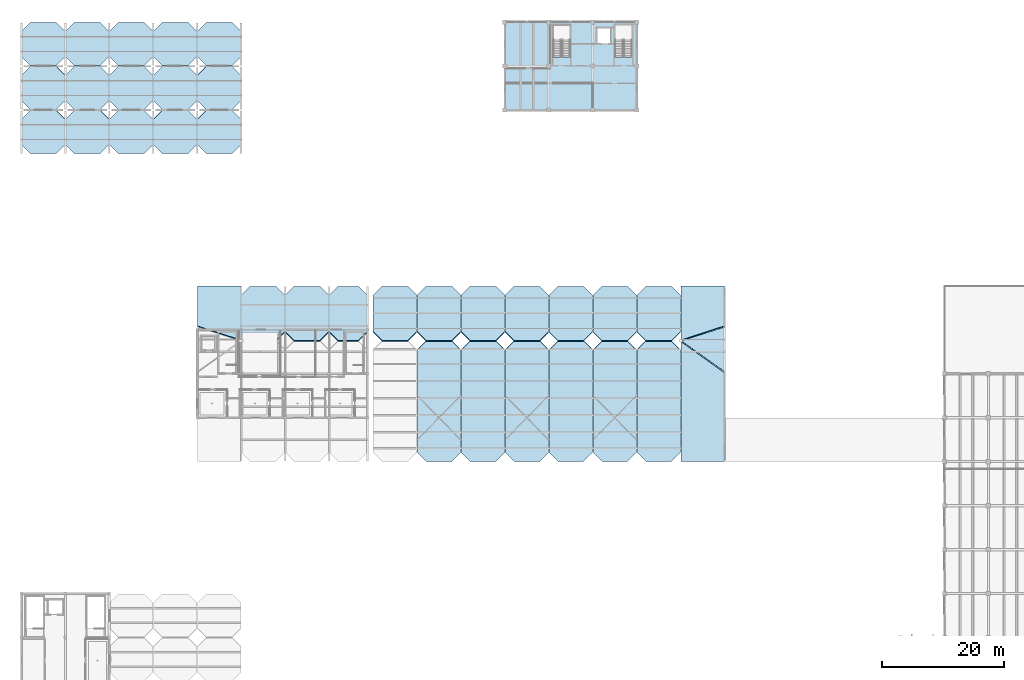
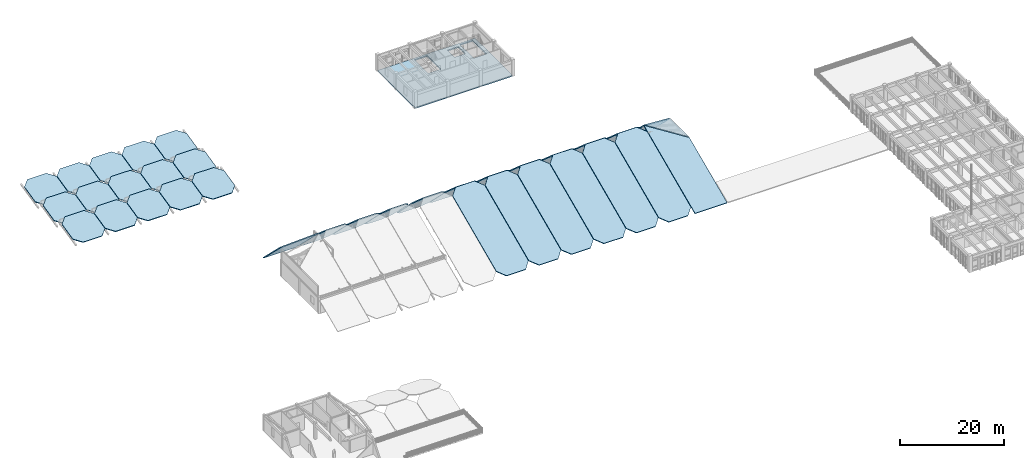
# One storey, part 23 of 54: 36 slabs.
"""IFC4 building model written with IfcOpenShell, lengths in metres."""

from ifc_helpers import new_model, si_unit, direction, frame, origin, place, context, subcontext, project, spatial, polyline, outline, extrude, material, layer, layer_set, type_object, element, save


model = new_model("IFC4")

# Units and contexts
model_context = context("Model", 3, precision=1e-05, world=origin(), true_north=direction((0.0, 1.0)))
body_context = subcontext(model_context, "Body", "Model", "MODEL_VIEW")
ifc_project = project(units=[si_unit("LENGTHUNIT", "METRE"), si_unit("AREAUNIT", "SQUARE_METRE"), si_unit("VOLUMEUNIT", "CUBIC_METRE"), si_unit("PLANEANGLEUNIT", "RADIAN"), si_unit("MASSUNIT", "GRAM", prefix="KILO")], contexts=[model_context])

# Site, building, storey
site_placement = place(None, origin())
site = spatial("IfcSite", under=ifc_project, at=site_placement, CompositionType="ELEMENT")
building_placement = place(site_placement, origin())
building = spatial("IfcBuilding", under=site, at=building_placement, Name="Koriwan Promenade Central Fire Station", CompositionType="ELEMENT")
storey_placement = place(building_placement, frame((0.0, 0.0, 9.60009765625)))
storey = spatial("IfcBuildingStorey", under=building, at=storey_placement, Name="L02", CompositionType="ELEMENT", Elevation=9.60009765625)

# Slabs
ifc_material = material(Name="Concrete C35/45", Category="concrete")
ifc_layer_1 = layer(ifc_material, 0.25, Name="Concrete C35/45")
ifc_layer_set_1 = layer_set([ifc_layer_1], Name="Concrete C35/45")
slab_type_1 = type_object("IfcSlabType", Name="FloorSlab_250", PredefinedType="FLOOR", material=ifc_layer_set_1)
slab_1_placement = place(storey_placement, frame((0.0, 0.0, -0.25)))
element("IfcSlab", 1, at=slab_1_placement, inside=storey, type_object=slab_type_1, Name="V2 L02 structural slab 1", PredefinedType="FLOOR", context=body_context, shape_type="SweptSolid", body=[
    extrude(outline(polyline([(79.199951171875, 100.800048828125), (79.199951171875, 115.199951171875), (100.800048828125, 115.199951171875), (100.800048828125, 100.800048828125), (79.199951171875, 100.800048828125)]), holes=[polyline([(100.050048828125, 114.75), (97.219970703125, 114.75), (97.219970703125, 109.491943359375), (100.050048828125, 109.491943359375), (100.050048828125, 114.75)]), polyline([(89.89990234375, 109.471923828125), (89.89990234375, 114.7099609375), (87.110107421875, 114.7099609375), (87.110107421875, 109.471923828125), (89.89990234375, 109.471923828125)]), polyline([(96.60009765625, 111.60009765625), (96.60009765625, 114.300048828125), (94.199951171875, 114.300048828125), (94.199951171875, 111.60009765625), (96.60009765625, 111.60009765625)])]), origin(), (0.0, 0.0, 1.0), 0.25),
])
ifc_layer_2 = layer(ifc_material, 0.179931640625, Name="Concrete C35/45")
ifc_layer_set_2 = layer_set([ifc_layer_2], Name="Concrete C35/45")
slab_type_2 = type_object("IfcSlabType", Name="RoofSlab_180", PredefinedType="ROOF", material=ifc_layer_set_2)
slab_2_placement = place(storey_placement, frame((1.485107421875, 93.6650390625, 0.0), z_axis=(0.0, -0.227259279325, 0.973834287731), x_axis=(1.0, 0.0, 0.0)))
element("IfcSlab", 2, at=slab_2_placement, inside=storey, type_object=slab_type_2, Name="V6 sawtooth workshop roof slab 1-1", PredefinedType="ROOF", context=body_context, shape_type="SweptSolid", body=[
    extrude(outline(polyline([(0.0, 0.0), (4.22998046875, 0.0), (5.679931640625, 1.4889119130808786), (5.679931640625, 5.7708809369666545), (4.22998046875, 7.260030602559185), (0.0, 7.260030602559185), (-1.4501953125, 5.7708809369666545), (-1.4501953125, 1.4889119130808786), (0.0, 0.0)])), origin(), (0.0, 0.0, -1.0), 0.179931640625),
])
for number, where, z_axis, x_axis, name in (
    (3, (1.485107421875, 100.864990234375, 0.0), (0.0, -0.227257628013, 0.973834673089), (1.0, 0.0, 0.0), "V6 sawtooth workshop roof slab 1-2"),
    (4, (1.485107421875, 108.06494140625, 0.0), (0.0, -0.227257628013, 0.973834673089), (1.0, 0.0, 0.0), "V6 sawtooth workshop roof slab 1-3"),
):
    element("IfcSlab", number, at=place(storey_placement, frame(where, z_axis=z_axis, x_axis=x_axis)), inside=storey, type_object=slab_type_2, Name=name, PredefinedType="ROOF", context=body_context, shape_type="SweptSolid", body=[
        extrude(outline(polyline([(0.0, 0.0), (4.22998046875, 0.0), (5.679931640625, 1.4889119130615733), (5.679931640625, 5.771118689499328), (4.22998046875, 7.260030602560901), (0.0, 7.260030602560901), (-1.4501953125, 5.771118689499328), (-1.4501953125, 1.4889119130615733), (0.0, 0.0)])), origin(), (0.0, 0.0, -1.0), 0.179931640625),
    ])
slab_3_placement = place(storey_placement, frame((8.68505859375, 93.6650390625, 0.0), z_axis=(0.0, -0.227259279273, 0.973834287743), x_axis=(1.0, 0.0, 0.0)))
element("IfcSlab", 5, at=slab_3_placement, inside=storey, type_object=slab_type_2, Name="V6 sawtooth workshop roof slab 2-1", PredefinedType="ROOF", context=body_context, shape_type="SweptSolid", body=[
    extrude(outline(polyline([(0.0, 0.0), (4.22998046875, 0.0), (5.679931640625, 1.4889119130808781), (5.679931640625, 5.770880936966653), (4.22998046875, 7.260030602559186), (0.0, 7.260030602559186), (-1.449951171875, 5.770880936966653), (-1.449951171875, 1.4889119130808781), (0.0, 0.0)])), origin(), (0.0, 0.0, -1.0), 0.179931640625),
])
for number, where, z_axis, x_axis, name in (
    (6, (8.68505859375, 100.864990234375, 0.0), (0.0, -0.227257628051, 0.97383467308), (1.0, 0.0, 0.0), "V6 sawtooth workshop roof slab 2-2"),
    (7, (8.68505859375, 108.06494140625, 0.0), (0.0, -0.227257628051, 0.97383467308), (1.0, 0.0, 0.0), "V6 sawtooth workshop roof slab 2-3"),
):
    element("IfcSlab", number, at=place(storey_placement, frame(where, z_axis=z_axis, x_axis=x_axis)), inside=storey, type_object=slab_type_2, Name=name, PredefinedType="ROOF", context=body_context, shape_type="SweptSolid", body=[
        extrude(outline(polyline([(0.0, 0.0), (4.22998046875, 0.0), (5.679931640625, 1.4889119130615733), (5.679931640625, 5.7711186894993265), (4.22998046875, 7.2600306025609), (0.0, 7.2600306025609), (-1.449951171875, 5.7711186894993265), (-1.449951171875, 1.4889119130615733), (0.0, 0.0)])), origin(), (0.0, 0.0, -1.0), 0.179931640625),
    ])
slab_4_placement = place(storey_placement, frame((15.885009765625, 93.6650390625, 0.0), z_axis=(0.0, -0.227259279273, 0.973834287743), x_axis=(1.0, 0.0, 0.0)))
element("IfcSlab", 8, at=slab_4_placement, inside=storey, type_object=slab_type_2, Name="V6 sawtooth workshop roof slab 3-1", PredefinedType="ROOF", context=body_context, shape_type="SweptSolid", body=[
    extrude(outline(polyline([(0.0, 0.0), (4.22998046875, 0.0), (5.679931640625, 1.4889119130808781), (5.679931640625, 5.770880936966653), (4.22998046875, 7.260030602559186), (0.0, 7.260030602559186), (-1.449951171875, 5.770880936966653), (-1.449951171875, 1.4889119130808781), (0.0, 0.0)])), origin(), (0.0, 0.0, -1.0), 0.179931640625),
])
for number, where, z_axis, x_axis, name in (
    (9, (15.885009765625, 100.864990234375, 0.0), (0.0, -0.227257628051, 0.97383467308), (1.0, 0.0, 0.0), "V6 sawtooth workshop roof slab 3-2"),
    (10, (15.885009765625, 108.06494140625, 0.0), (0.0, -0.227257628051, 0.97383467308), (1.0, 0.0, 0.0), "V6 sawtooth workshop roof slab 3-3"),
):
    element("IfcSlab", number, at=place(storey_placement, frame(where, z_axis=z_axis, x_axis=x_axis)), inside=storey, type_object=slab_type_2, Name=name, PredefinedType="ROOF", context=body_context, shape_type="SweptSolid", body=[
        extrude(outline(polyline([(0.0, 0.0), (4.22998046875, 0.0), (5.679931640625, 1.4889119130615733), (5.679931640625, 5.7711186894993265), (4.22998046875, 7.2600306025609), (0.0, 7.2600306025609), (-1.449951171875, 5.7711186894993265), (-1.449951171875, 1.4889119130615733), (0.0, 0.0)])), origin(), (0.0, 0.0, -1.0), 0.179931640625),
    ])
slab_5_placement = place(storey_placement, frame((23.0849609375, 93.6650390625, 0.0), z_axis=(0.0, -0.227259279273, 0.973834287743), x_axis=(1.0, 0.0, 0.0)))
element("IfcSlab", 11, at=slab_5_placement, inside=storey, type_object=slab_type_2, Name="V6 sawtooth workshop roof slab 4-1", PredefinedType="ROOF", context=body_context, shape_type="SweptSolid", body=[
    extrude(outline(polyline([(0.0, 0.0), (4.22998046875, 0.0), (5.679931640625, 1.4889119130808781), (5.679931640625, 5.770880936966653), (4.22998046875, 7.260030602559186), (0.0, 7.260030602559186), (-1.449951171875, 5.770880936966653), (-1.449951171875, 1.4889119130808781), (0.0, 0.0)])), origin(), (0.0, 0.0, -1.0), 0.179931640625),
])
for number, where, z_axis, x_axis, name in (
    (12, (23.0849609375, 100.864990234375, 0.0), (0.0, -0.227257628051, 0.97383467308), (1.0, 0.0, 0.0), "V6 sawtooth workshop roof slab 4-2"),
    (13, (23.0849609375, 108.06494140625, 0.0), (0.0, -0.227257628051, 0.97383467308), (1.0, 0.0, 0.0), "V6 sawtooth workshop roof slab 4-3"),
):
    element("IfcSlab", number, at=place(storey_placement, frame(where, z_axis=z_axis, x_axis=x_axis)), inside=storey, type_object=slab_type_2, Name=name, PredefinedType="ROOF", context=body_context, shape_type="SweptSolid", body=[
        extrude(outline(polyline([(0.0, 0.0), (4.22998046875, 0.0), (5.679931640625, 1.4889119130615733), (5.679931640625, 5.7711186894993265), (4.22998046875, 7.2600306025609), (0.0, 7.2600306025609), (-1.449951171875, 5.7711186894993265), (-1.449951171875, 1.4889119130615733), (0.0, 0.0)])), origin(), (0.0, 0.0, -1.0), 0.179931640625),
    ])
slab_6_placement = place(storey_placement, frame((30.284912109375, 93.6650390625, 0.0), z_axis=(0.0, -0.227259279325, 0.973834287731), x_axis=(1.0, 0.0, 0.0)))
element("IfcSlab", 14, at=slab_6_placement, inside=storey, type_object=slab_type_2, Name="V6 sawtooth workshop roof slab 5-1", PredefinedType="ROOF", context=body_context, shape_type="SweptSolid", body=[
    extrude(outline(polyline([(0.0, 0.0), (4.22998046875, 0.0), (5.68017578125, 1.4889119130808786), (5.68017578125, 5.7708809369666545), (4.22998046875, 7.260030602559185), (0.0, 7.260030602559185), (-1.449951171875, 5.7708809369666545), (-1.449951171875, 1.4889119130808786), (0.0, 0.0)])), origin(), (0.0, 0.0, -1.0), 0.179931640625),
])
for number, where, z_axis, x_axis, name in (
    (15, (30.284912109375, 100.864990234375, 0.0), (0.0, -0.227257628013, 0.973834673089), (1.0, 0.0, 0.0), "V6 sawtooth workshop roof slab 5-2"),
    (16, (30.284912109375, 108.06494140625, 0.0), (0.0, -0.227257628013, 0.973834673089), (1.0, 0.0, 0.0), "V6 sawtooth workshop roof slab 5-3"),
):
    element("IfcSlab", number, at=place(storey_placement, frame(where, z_axis=z_axis, x_axis=x_axis)), inside=storey, type_object=slab_type_2, Name=name, PredefinedType="ROOF", context=body_context, shape_type="SweptSolid", body=[
        extrude(outline(polyline([(0.0, 0.0), (4.22998046875, 0.0), (5.68017578125, 1.4889119130615733), (5.68017578125, 5.771118689499328), (4.22998046875, 7.260030602560901), (0.0, 7.260030602560901), (-1.449951171875, 5.771118689499328), (-1.449951171875, 1.4889119130615733), (0.0, 0.0)])), origin(), (0.0, 0.0, -1.0), 0.179931640625),
    ])
ifc_layer_3 = layer(ifc_material, 0.199951171875, Name="Concrete C35/45")
ifc_layer_set_3 = layer_set([ifc_layer_3], Name="Concrete C35/45")
slab_type_3 = type_object("IfcSlabType", Name="RoofSlab_200", PredefinedType="ROOF", material=ifc_layer_set_3)
slab_7_placement = place(storey_placement, frame((59.0849609375, 63.06494140625, 8.7998046875), z_axis=(0.0, 0.704287138149, 0.709915225247), x_axis=(1.0, 0.0, 0.0)))
element("IfcSlab", 17, at=slab_7_placement, inside=storey, type_object=slab_type_3, Name="V1 north asymmetric pitched roof slab bay 1", PredefinedType="ROOF", context=body_context, shape_type="SweptSolid", body=[
    extrude(outline(polyline([(0.0, 0.0), (4.22998046875, 0.0), (5.679931640625, 2.042442954276729), (5.679931640625, 10.452177546486602), (4.22998046875, 12.494620500763332), (0.0, 12.494620500763332), (-1.449951171875, 10.452177546486602), (-1.449951171875, 2.042442954276729), (0.0, 0.0)])), origin(), (0.0, 0.0, -1.0), 0.199951171875),
])
slab_8_placement = place(storey_placement, frame((66.284912109375, 43.264892578125, 0.0), z_axis=(0.0, -0.408366376889, 0.912818110155), x_axis=(1.0, 0.0, 0.0)))
element("IfcSlab", 18, at=slab_8_placement, inside=storey, type_object=slab_type_3, Name="V1 south asymmetric pitched roof slab bay 2", PredefinedType="ROOF", context=body_context, shape_type="SweptSolid", body=[
    extrude(outline(polyline([(0.0, 0.0), (4.22998046875, 0.0), (5.68017578125, 1.58866431584802), (5.68017578125, 19.960386666514786), (4.22998046875, 21.548828126378886), (0.0, 21.548828126378886), (-1.449951171875, 19.960386666514786), (-1.449951171875, 1.58866431584802), (0.0, 0.0)])), origin(), (0.0, 0.0, -1.0), 0.199951171875),
])
slab_9_placement = place(storey_placement, frame((66.284912109375, 63.06494140625, 8.7998046875), z_axis=(0.0, 0.704287138131, 0.709915225265), x_axis=(1.0, 0.0, 0.0)))
element("IfcSlab", 19, at=slab_9_placement, inside=storey, type_object=slab_type_3, Name="V1 north asymmetric pitched roof slab bay 2", PredefinedType="ROOF", context=body_context, shape_type="SweptSolid", body=[
    extrude(outline(polyline([(0.0, 0.0), (4.22998046875, 0.0), (5.68017578125, 2.042442954276729), (5.68017578125, 10.452177546486602), (4.22998046875, 12.494620500763332), (0.0, 12.494620500763332), (-1.449951171875, 10.452177546486602), (-1.449951171875, 2.042442954276729), (0.0, 0.0)])), origin(), (0.0, 0.0, -1.0), 0.199951171875),
])
slab_10_placement = place(storey_placement, frame((73.485107421875, 43.264892578125, 0.0), z_axis=(0.0, -0.408366376889, 0.912818110155), x_axis=(1.0, 0.0, 0.0)))
element("IfcSlab", 20, at=slab_10_placement, inside=storey, type_object=slab_type_3, Name="V1 south asymmetric pitched roof slab bay 3", PredefinedType="ROOF", context=body_context, shape_type="SweptSolid", body=[
    extrude(outline(polyline([(0.0, 0.0), (4.22998046875, 0.0), (5.679931640625, 1.58866431584802), (5.679931640625, 19.960386666514786), (4.22998046875, 21.548828126378886), (0.0, 21.548828126378886), (-1.4501953125, 19.960386666514786), (-1.4501953125, 1.58866431584802), (0.0, 0.0)])), origin(), (0.0, 0.0, -1.0), 0.199951171875),
])
slab_11_placement = place(storey_placement, frame((73.485107421875, 63.06494140625, 8.7998046875), z_axis=(0.0, 0.704287138131, 0.709915225265), x_axis=(1.0, 0.0, 0.0)))
element("IfcSlab", 21, at=slab_11_placement, inside=storey, type_object=slab_type_3, Name="V1 north asymmetric pitched roof slab bay 3", PredefinedType="ROOF", context=body_context, shape_type="SweptSolid", body=[
    extrude(outline(polyline([(0.0, 0.0), (4.22998046875, 0.0), (5.679931640625, 2.042442954276729), (5.679931640625, 10.452177546486602), (4.22998046875, 12.494620500763332), (0.0, 12.494620500763332), (-1.4501953125, 10.452177546486602), (-1.4501953125, 2.042442954276729), (0.0, 0.0)])), origin(), (0.0, 0.0, -1.0), 0.199951171875),
])
slab_12_placement = place(storey_placement, frame((80.68505859375, 43.264892578125, 0.0), z_axis=(0.0, -0.40836637686, 0.912818110168), x_axis=(1.0, 0.0, 0.0)))
element("IfcSlab", 22, at=slab_12_placement, inside=storey, type_object=slab_type_3, Name="V1 south asymmetric pitched roof slab bay 4", PredefinedType="ROOF", context=body_context, shape_type="SweptSolid", body=[
    extrude(outline(polyline([(0.0, 0.0), (4.22998046875, 0.0), (5.679931640625, 1.5886643158480227), (5.679931640625, 19.960386666514786), (4.22998046875, 21.548828126378883), (0.0, 21.548828126378883), (-1.449951171875, 19.960386666514786), (-1.449951171875, 1.5886643158480227), (0.0, 0.0)])), origin(), (0.0, 0.0, -1.0), 0.199951171875),
])
slab_13_placement = place(storey_placement, frame((80.68505859375, 63.06494140625, 8.7998046875), z_axis=(0.0, 0.704287138149, 0.709915225247), x_axis=(1.0, 0.0, 0.0)))
element("IfcSlab", 23, at=slab_13_placement, inside=storey, type_object=slab_type_3, Name="V1 north asymmetric pitched roof slab bay 4", PredefinedType="ROOF", context=body_context, shape_type="SweptSolid", body=[
    extrude(outline(polyline([(0.0, 0.0), (4.22998046875, 0.0), (5.679931640625, 2.042442954276729), (5.679931640625, 10.452177546486602), (4.22998046875, 12.494620500763332), (0.0, 12.494620500763332), (-1.449951171875, 10.452177546486602), (-1.449951171875, 2.042442954276729), (0.0, 0.0)])), origin(), (0.0, 0.0, -1.0), 0.199951171875),
])
slab_14_placement = place(storey_placement, frame((87.885009765625, 43.264892578125, 0.0), z_axis=(0.0, -0.40836637686, 0.912818110168), x_axis=(1.0, 0.0, 0.0)))
element("IfcSlab", 24, at=slab_14_placement, inside=storey, type_object=slab_type_3, Name="V1 south asymmetric pitched roof slab bay 5", PredefinedType="ROOF", context=body_context, shape_type="SweptSolid", body=[
    extrude(outline(polyline([(0.0, 0.0), (4.22998046875, 0.0), (5.679931640625, 1.5886643158480227), (5.679931640625, 19.960386666514786), (4.22998046875, 21.548828126378883), (0.0, 21.548828126378883), (-1.449951171875, 19.960386666514786), (-1.449951171875, 1.5886643158480227), (0.0, 0.0)])), origin(), (0.0, 0.0, -1.0), 0.199951171875),
])
slab_15_placement = place(storey_placement, frame((87.885009765625, 63.06494140625, 8.7998046875), z_axis=(0.0, 0.704287138149, 0.709915225247), x_axis=(1.0, 0.0, 0.0)))
element("IfcSlab", 25, at=slab_15_placement, inside=storey, type_object=slab_type_3, Name="V1 north asymmetric pitched roof slab bay 5", PredefinedType="ROOF", context=body_context, shape_type="SweptSolid", body=[
    extrude(outline(polyline([(0.0, 0.0), (4.22998046875, 0.0), (5.679931640625, 2.042442954276729), (5.679931640625, 10.452177546486602), (4.22998046875, 12.494620500763332), (0.0, 12.494620500763332), (-1.449951171875, 10.452177546486602), (-1.449951171875, 2.042442954276729), (0.0, 0.0)])), origin(), (0.0, 0.0, -1.0), 0.199951171875),
])
slab_16_placement = place(storey_placement, frame((95.0849609375, 43.264892578125, 0.0), z_axis=(0.0, -0.40836637686, 0.912818110168), x_axis=(1.0, 0.0, 0.0)))
element("IfcSlab", 26, at=slab_16_placement, inside=storey, type_object=slab_type_3, Name="V1 south asymmetric pitched roof slab bay 6", PredefinedType="ROOF", context=body_context, shape_type="SweptSolid", body=[
    extrude(outline(polyline([(0.0, 0.0), (4.22998046875, 0.0), (5.679931640625, 1.5886643158480227), (5.679931640625, 19.960386666514786), (4.22998046875, 21.548828126378883), (0.0, 21.548828126378883), (-1.449951171875, 19.960386666514786), (-1.449951171875, 1.5886643158480227), (0.0, 0.0)])), origin(), (0.0, 0.0, -1.0), 0.199951171875),
])
slab_17_placement = place(storey_placement, frame((95.0849609375, 63.06494140625, 8.7998046875), z_axis=(0.0, 0.704287138149, 0.709915225247), x_axis=(1.0, 0.0, 0.0)))
element("IfcSlab", 27, at=slab_17_placement, inside=storey, type_object=slab_type_3, Name="V1 north asymmetric pitched roof slab bay 6", PredefinedType="ROOF", context=body_context, shape_type="SweptSolid", body=[
    extrude(outline(polyline([(0.0, 0.0), (4.22998046875, 0.0), (5.679931640625, 2.042442954276729), (5.679931640625, 10.452177546486602), (4.22998046875, 12.494620500763332), (0.0, 12.494620500763332), (-1.449951171875, 10.452177546486602), (-1.449951171875, 2.042442954276729), (0.0, 0.0)])), origin(), (0.0, 0.0, -1.0), 0.199951171875),
])
slab_18_placement = place(storey_placement, frame((102.284912109375, 43.264892578125, 0.0), z_axis=(0.0, -0.408366376889, 0.912818110155), x_axis=(1.0, 0.0, 0.0)))
element("IfcSlab", 28, at=slab_18_placement, inside=storey, type_object=slab_type_3, Name="V1 south asymmetric pitched roof slab bay 7", PredefinedType="ROOF", context=body_context, shape_type="SweptSolid", body=[
    extrude(outline(polyline([(0.0, 0.0), (4.22998046875, 0.0), (5.68017578125, 1.58866431584802), (5.68017578125, 19.960386666514786), (4.22998046875, 21.548828126378886), (0.0, 21.548828126378886), (-1.449951171875, 19.960386666514786), (-1.449951171875, 1.58866431584802), (0.0, 0.0)])), origin(), (0.0, 0.0, -1.0), 0.199951171875),
])
slab_19_placement = place(storey_placement, frame((102.284912109375, 63.06494140625, 8.7998046875), z_axis=(0.0, 0.704287138131, 0.709915225265), x_axis=(1.0, 0.0, 0.0)))
element("IfcSlab", 29, at=slab_19_placement, inside=storey, type_object=slab_type_3, Name="V1 north asymmetric pitched roof slab bay 7", PredefinedType="ROOF", context=body_context, shape_type="SweptSolid", body=[
    extrude(outline(polyline([(0.0, 0.0), (4.22998046875, 0.0), (5.68017578125, 2.042442954276729), (5.68017578125, 10.452177546486602), (4.22998046875, 12.494620500763332), (0.0, 12.494620500763332), (-1.449951171875, 10.452177546486602), (-1.449951171875, 2.042442954276729), (0.0, 0.0)])), origin(), (0.0, 0.0, -1.0), 0.199951171875),
])
slab_20_placement = place(storey_placement, frame((108.030029296875, 43.22998046875, 0.01318359375), z_axis=(3.911138e-06, -0.406141493057, 0.913810203271), x_axis=(0.999999999992, 1.588476e-06, -3.574038e-06)))
element("IfcSlab", 30, at=slab_20_placement, inside=storey, type_object=slab_type_3, Name="V1 east-end south chamfered pitched roof slab", PredefinedType="ROOF", context=body_context, shape_type="SweptSolid", body=[
    extrude(outline(polyline([(0.0, 0.0), (7.139892578070391, 0.0), (7.1398925781796105, 15.913568040485513), (-1.0921896031893322e-10, 21.50327673602932), (0.0, 0.0)])), origin(), (0.0, 0.0, -1.0), 0.199951171875),
])
slab_21_placement = place(storey_placement, frame((108.030029296875, 63.1201171875, 8.6826171875), z_axis=(2.72131e-06, 0.699121887612, 0.715002507865), x_axis=(0.910277032006, 0.296009068956, -0.289438000438)))
element("IfcSlab", 31, at=slab_21_placement, inside=storey, type_object=slab_type_3, Name="V1 east-end north chamfered pitched roof slab", PredefinedType="ROOF", context=body_context, shape_type="SweptSolid", body=[
    extrude(outline(polyline([(0.0, 0.0), (7.843647952360758, 2.220446049250313e-16), (11.623516852815321, 8.31094348905273), (5.124236627955311, 11.266856645004808), (0.0, 0.0)])), origin(), (0.0, 0.0, -1.0), 0.199951171875),
])
slab_22_placement = place(storey_placement, frame((108.080078125, 63.0, 8.7998046875), z_axis=(0.304930417752, 0.0, 0.952374632343), x_axis=(0.789221228361, -0.559711129411, -0.252692113681)))
element("IfcSlab", 32, at=slab_22_placement, inside=storey, type_object=slab_type_3, Name="V1 east 17.5-deg triangular chamfered gable roof facet", PredefinedType="ROOF", context=body_context, shape_type="SweptSolid", body=[
    extrude(outline(polyline([(0.0, 0.0), (8.983341419641564, 6.106226635438361e-16), (4.914367225188281, 6.0243740948757605), (0.0, 0.0)])), origin(), (0.0, 0.0, -1.0), 0.199951171875),
])
slab_23_placement = place(storey_placement, frame((28.830078125, 65.44189453125, 6.412353515625), z_axis=(-2.72131e-06, 0.699121887612, 0.715002507865), x_axis=(0.910277032006, -0.296009068956, 0.289438000438)))
element("IfcSlab", 33, at=slab_23_placement, inside=storey, type_object=slab_type_3, Name="V4 west-end north chamfered pitched roof slab", PredefinedType="ROOF", context=body_context, shape_type="SweptSolid", body=[
    extrude(outline(polyline([(0.0, 0.0), (7.843647952360758, -2.220446049250313e-16), (2.719411324405448, 11.266856645004808), (-3.7798689004545625, 8.31094348905273), (0.0, 0.0)])), origin(), (0.0, 0.0, -1.0), 0.199951171875),
])
slab_24_placement = place(storey_placement, frame((37.485107421875, 63.06494140625, 8.7998046875), z_axis=(0.0, 0.704287138131, 0.709915225265), x_axis=(1.0, 0.0, 0.0)))
element("IfcSlab", 34, at=slab_24_placement, inside=storey, type_object=slab_type_3, Name="V4 north pitched roof slab bay 2", PredefinedType="ROOF", context=body_context, shape_type="SweptSolid", body=[
    extrude(outline(polyline([(0.0, 0.0), (4.22998046875, 0.0), (5.679931640625, 2.042442954276729), (5.679931640625, 10.452177546486602), (4.22998046875, 12.494620500763332), (0.0, 12.494620500763332), (-1.4501953125, 10.452177546486602), (-1.4501953125, 2.042442954276729), (0.0, 0.0)])), origin(), (0.0, 0.0, -1.0), 0.199951171875),
])
slab_25_placement = place(storey_placement, frame((44.68505859375, 63.06494140625, 8.7998046875), z_axis=(0.0, 0.704287138149, 0.709915225247), x_axis=(1.0, 0.0, 0.0)))
element("IfcSlab", 35, at=slab_25_placement, inside=storey, type_object=slab_type_3, Name="V4 north pitched roof slab bay 3", PredefinedType="ROOF", context=body_context, shape_type="SweptSolid", body=[
    extrude(outline(polyline([(0.0, 0.0), (4.22998046875, 0.0), (5.679931640625, 2.042442954276729), (5.679931640625, 10.452177546486602), (4.22998046875, 12.494620500763332), (0.0, 12.494620500763332), (-1.449951171875, 10.452177546486602), (-1.449951171875, 2.042442954276729), (0.0, 0.0)])), origin(), (0.0, 0.0, -1.0), 0.199951171875),
])
slab_26_placement = place(storey_placement, frame((51.885009765625, 63.06494140625, 8.7998046875), z_axis=(0.0, 0.704287085936, 0.709915277046), x_axis=(1.0, 0.0, 0.0)))
element("IfcSlab", 36, at=slab_26_placement, inside=storey, type_object=slab_type_3, Name="V4 north pitched roof slab bay 4", PredefinedType="ROOF", context=body_context, shape_type="SweptSolid", body=[
    extrude(outline(polyline([(0.0, 0.0), (3.330078125, 0.0), (4.780029296875, 2.0424429542756615), (4.780029296875, 10.452177546487206), (3.330078125, 12.494620500762867), (0.0, 12.494620500762867), (-1.449951171875, 10.452177546487206), (-1.449951171875, 2.0424429542756615), (0.0, 0.0)])), origin(), (0.0, 0.0, -1.0), 0.199951171875),
])

save(model, "model.ifc")
